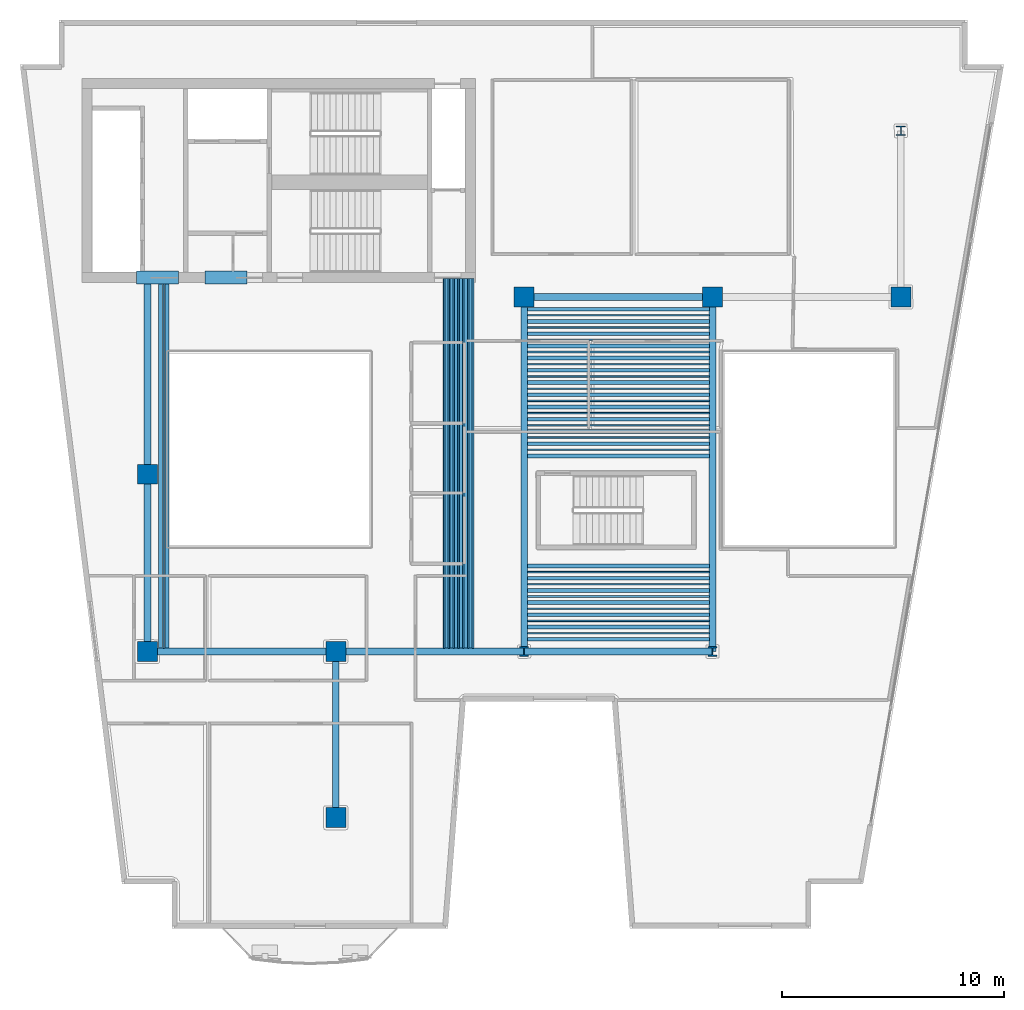
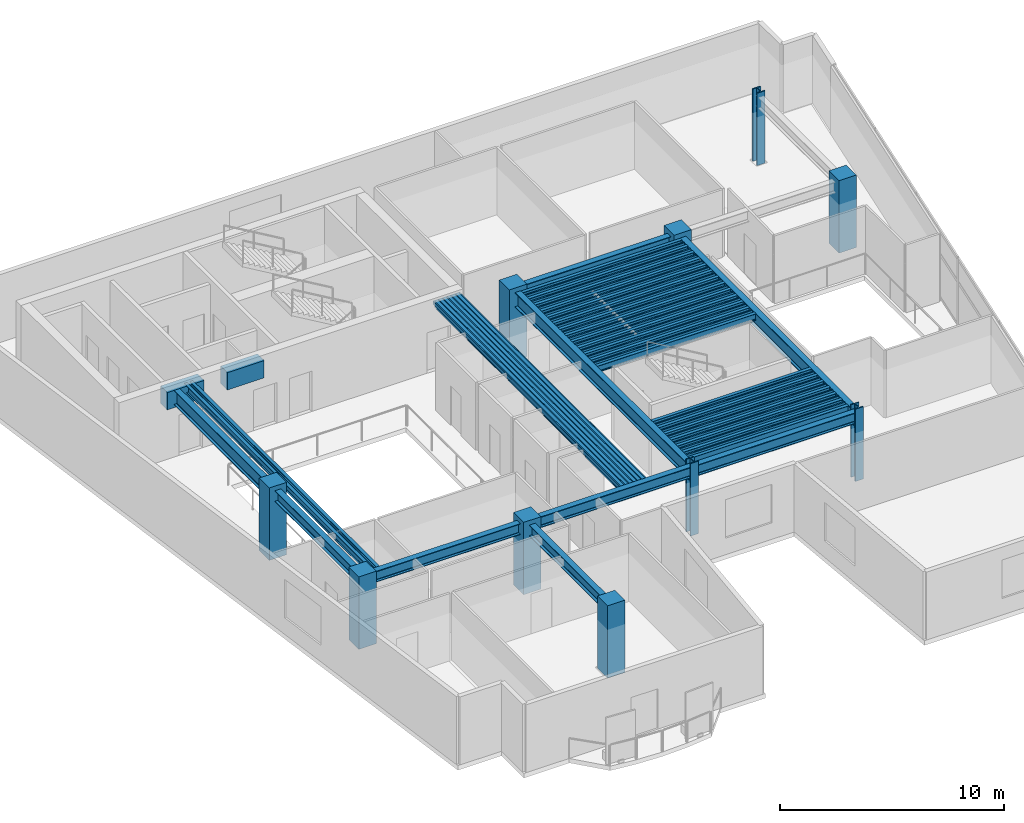
# One storey, part 1 of 9: 65 beams, 10 columns.
"""IFC4 building model written with IfcOpenShell, lengths in metres."""

from ifc_helpers import new_model, si_unit, direction, frame, origin, origin_2d, place, context, subcontext, project, spatial, rectangle, hollow_rectangle, i_section, extrude, material, material_profile, profile_set, type_object, element, save


model = new_model("IFC4")

# Units and contexts
model_context = context("Model", 3, precision=1e-05, world=origin(), true_north=direction((0.0, 1.0)))
body_context = subcontext(model_context, "Body", "Model", "MODEL_VIEW")
ifc_project = project(units=[si_unit("LENGTHUNIT", "METRE"), si_unit("AREAUNIT", "SQUARE_METRE"), si_unit("VOLUMEUNIT", "CUBIC_METRE"), si_unit("PLANEANGLEUNIT", "RADIAN"), si_unit("MASSUNIT", "GRAM", prefix="KILO")], contexts=[model_context])

# Site, building, storey
site_placement = place(None, origin())
site = spatial("IfcSite", under=ifc_project, at=site_placement, CompositionType="ELEMENT")
building_placement = place(site_placement, origin())
building = spatial("IfcBuilding", under=site, at=building_placement, Name="Caeloran Harvest Quay", CompositionType="ELEMENT")
storey_placement = place(building_placement, frame((0.0, 0.0, 215.35009765625)))
storey = spatial("IfcBuildingStorey", under=building, at=storey_placement, Name="L51", CompositionType="ELEMENT", Elevation=215.35009765625)

# Columns
ifc_material_1 = material(Name="Concrete C60/75", Category="concrete")
ifc_material_profile_1 = material_profile(ifc_material_1, rectangle(XDim=0.89990234375, YDim=0.89990234375, at=origin_2d()), Name="RC 900x900")
ifc_profile_set_1 = profile_set([ifc_material_profile_1], Name="Concrete C60/75")
column_type_1 = type_object("IfcColumnType", Name="COL-MC-4-RC_900x900", PredefinedType="COLUMN", material=ifc_profile_set_1)
for number, where, z_axis, x_axis, name in (
    (1, (8.5, 15.0, 0.0), (0.0, 0.0, 1.0), (1.0, 0.0, 0.0), "L51 Structural Column (8.5, 15.0)"),
    (2, (8.5, 23.0, 0.0), (0.0, 0.0, 1.0), (1.0, 0.0, 0.0), "L51 Structural Column (8.5, 23.0)"),
    (3, (17.0, 7.5, 0.0), (0.0, 0.0, 1.0), (1.0, 0.0, 0.0), "L51 Structural Column (17.0, 7.5)"),
    (4, (17.0, 15.0, 0.0), (0.0, 0.0, 1.0), (1.0, 0.0, 0.0), "L51 Structural Column (17.0, 15.0)"),
    (5, (25.5, 31.0, 0.0), (0.0, 0.0, 1.0), (1.0, 0.0, 0.0), "L51 Structural Column (25.5, 31.0)"),
    (6, (34.0, 31.0, 0.0), (0.0, 0.0, 1.0), (1.0, 0.0, 0.0), "L51 Structural Column (34.0, 31.0)"),
    (7, (42.5, 31.0, 0.0), (0.0, 0.0, 1.0), (1.0, 0.0, 0.0), "L51 Structural Column (42.5, 31.0)"),
):
    element("IfcColumn", number, at=place(storey_placement, frame(where, z_axis=z_axis, x_axis=x_axis)), inside=storey, type_object=column_type_1, Name=name, PredefinedType="COLUMN", context=body_context, shape_type="SweptSolid", body=[
        extrude(rectangle(XDim=0.89990234375, YDim=0.89990234375, at=origin_2d()), origin(), (0.0, 0.0, 1.0), 3.949951171875),
    ])
ifc_material_2 = material(Name="Steel HISTAR 460", Category="steel")
ifc_material_profile_2 = material_profile(ifc_material_2, i_section(OverallWidth=0.416015625, OverallDepth=0.446044921875, WebThickness=0.0390625, FlangeThickness=0.062744140625, FilletRadius=0.014892578125, at=origin_2d()), Name="HD 400x509")
ifc_profile_set_2 = profile_set([ifc_material_profile_2], Name="Steel HISTAR 460")
column_type_2 = type_object("IfcColumnType", Name="COL-SC-4-HD_400x509", PredefinedType="COLUMN", material=ifc_profile_set_2)
for number, where, z_axis, x_axis, name in (
    (8, (25.5, 15.0, 0.0), (0.0, 0.0, 1.0), (1.0, 0.0, 0.0), "L51 Structural Column (25.5, 15.0)"),
    (9, (34.0, 15.0, 0.0), (0.0, 0.0, 1.0), (1.0, 0.0, 0.0), "L51 Structural Column (34.0, 15.0)"),
    (10, (42.5, 38.5, 0.0), (0.0, 0.0, 1.0), (1.0, 0.0, 0.0), "L51 Structural Column (42.5, 38.5)"),
):
    element("IfcColumn", number, at=place(storey_placement, frame(where, z_axis=z_axis, x_axis=x_axis)), inside=storey, type_object=column_type_2, Name=name, PredefinedType="COLUMN", context=body_context, shape_type="SweptSolid", body=[
        extrude(i_section(OverallWidth=0.416015625, OverallDepth=0.446044921875, WebThickness=0.0390625, FlangeThickness=0.062744140625, FilletRadius=0.014892578125, at=origin_2d()), origin(), (0.0, 0.0, 1.0), 3.949951171875),
    ])

# Beams
ifc_material_profile_3 = material_profile(ifc_material_1, rectangle(XDim=0.60009765625, YDim=0.949951171875, at=origin_2d()), Name="RC 600x950")
ifc_profile_set_3 = profile_set([ifc_material_profile_3], Name="Concrete C60/75")
beam_type_1 = type_object("IfcBeamType", Name="BM-CB-2-RC_600x950", PredefinedType="LINTEL", material=ifc_profile_set_3)
for number, where, z_axis, x_axis, name in (
    (11, (8.0, 31.875, 3.224853515625), (1.0, 0.0, 0.0), (0.0, 1.0, 0.0), "L51 Core Coupling Beam 1"),
    (12, (11.10009765625, 31.875, 3.224853515625), (1.0, 0.0, 0.0), (0.0, 1.0, 0.0), "L51 Core Coupling Beam 2"),
):
    element("IfcBeam", number, at=place(storey_placement, frame(where, z_axis=z_axis, x_axis=x_axis)), inside=storey, type_object=beam_type_1, Name=name, PredefinedType="LINTEL", context=body_context, shape_type="SweptSolid", body=[
        extrude(rectangle(XDim=0.60009765625, YDim=0.949951171875, at=origin_2d()), origin(), (0.0, 0.0, 1.0), 1.89990234375),
    ])
ifc_material_3 = material(Name="Steel S355J2", Category="steel")
ifc_material_profile_4 = material_profile(ifc_material_3, i_section(OverallWidth=0.300048828125, OverallDepth=0.800048828125, WebThickness=0.017578125, FlangeThickness=0.032958984375, FilletRadius=0.030029296875, at=origin_2d()), Name="HE 800 B")
ifc_profile_set_4 = profile_set([ifc_material_profile_4], Name="Steel S355J2")
beam_type_2 = type_object("IfcBeamType", Name="BM-PG-1-HE_800_B", PredefinedType="BEAM", material=ifc_profile_set_4)
beam_1_placement = place(storey_placement, frame((8.5, 23.0, 3.2998046875), z_axis=(0.0, 1.0, 0.0), x_axis=(-1.0, 0.0, 0.0)))
element("IfcBeam", 13, at=beam_1_placement, inside=storey, type_object=beam_type_2, Name="L51 Core South Tie Girder X=8.5", PredefinedType="BEAM", context=body_context, shape_type="SweptSolid", body=[
    extrude(i_section(OverallWidth=0.300048828125, OverallDepth=0.800048828125, WebThickness=0.017578125, FlangeThickness=0.032958984375, FilletRadius=0.030029296875, at=origin_2d()), origin(), (0.0, 0.0, 1.0), 8.824951171875),
])
for number, where, z_axis, x_axis, name in (
    (14, (25.5, 15.0, 3.2998046875), (0.0, 1.0, 0.0), (-1.0, 0.0, 0.0), "L51 Primary North-South Girder X=25.5"),
    (15, (34.0, 15.0, 3.2998046875), (0.0, 1.0, 0.0), (-1.0, 0.0, 0.0), "L51 Primary North-South Girder X=34.0"),
):
    element("IfcBeam", number, at=place(storey_placement, frame(where, z_axis=z_axis, x_axis=x_axis)), inside=storey, type_object=beam_type_2, Name=name, PredefinedType="BEAM", context=body_context, shape_type="SweptSolid", body=[
        extrude(i_section(OverallWidth=0.300048828125, OverallDepth=0.800048828125, WebThickness=0.017578125, FlangeThickness=0.032958984375, FilletRadius=0.030029296875, at=origin_2d()), origin(), (0.0, 0.0, 1.0), 16.0),
    ])
ifc_material_profile_5 = material_profile(ifc_material_3, i_section(OverallWidth=0.300048828125, OverallDepth=0.60009765625, WebThickness=0.015380859375, FlangeThickness=0.030029296875, FilletRadius=0.027099609375, at=origin_2d()), Name="HE 600 B")
ifc_profile_set_5 = profile_set([ifc_material_profile_5], Name="Steel S355J2")
beam_type_3 = type_object("IfcBeamType", Name="BM-PG-3-HE_600_B", PredefinedType="BEAM", material=ifc_profile_set_5)
for number, where, z_axis, x_axis, name in (
    (16, (8.5, 15.0, 3.39990234375), (1.0, 0.0, 0.0), (0.0, 1.0, 0.0), "L51 Primary East-West Girder Y=15.0"),
    (17, (17.0, 15.0, 3.39990234375), (1.0, 0.0, 0.0), (0.0, 1.0, 0.0), "L51 Primary East-West Girder Y=15.0"),
    (18, (25.5, 15.0, 3.39990234375), (1.0, 0.0, 0.0), (0.0, 1.0, 0.0), "L51 Primary East-West Girder Y=15.0"),
    (19, (25.5, 31.0, 3.39990234375), (1.0, 0.0, 0.0), (0.0, 1.0, 0.0), "L51 Primary East-West Girder Y=31.0"),
):
    element("IfcBeam", number, at=place(storey_placement, frame(where, z_axis=z_axis, x_axis=x_axis)), inside=storey, type_object=beam_type_3, Name=name, PredefinedType="BEAM", context=body_context, shape_type="SweptSolid", body=[
        extrude(i_section(OverallWidth=0.300048828125, OverallDepth=0.60009765625, WebThickness=0.015380859375, FlangeThickness=0.030029296875, FilletRadius=0.027099609375, at=origin_2d()), origin(), (0.0, 0.0, 1.0), 8.5),
    ])
beam_2_placement = place(storey_placement, frame((8.5, 15.0, 3.39990234375), z_axis=(0.0, 1.0, 0.0), x_axis=(-1.0, 0.0, 0.0)))
element("IfcBeam", 20, at=beam_2_placement, inside=storey, type_object=beam_type_3, Name="L51 Primary North-South Girder X=8.5", PredefinedType="BEAM", context=body_context, shape_type="SweptSolid", body=[
    extrude(i_section(OverallWidth=0.300048828125, OverallDepth=0.60009765625, WebThickness=0.015380859375, FlangeThickness=0.030029296875, FilletRadius=0.027099609375, at=origin_2d()), origin(), (0.0, 0.0, 1.0), 8.0),
])
beam_3_placement = place(storey_placement, frame((17.0, 7.5, 3.39990234375), z_axis=(0.0, 1.0, 0.0), x_axis=(-1.0, 0.0, 0.0)))
element("IfcBeam", 21, at=beam_3_placement, inside=storey, type_object=beam_type_3, Name="L51 Primary North-South Girder X=17.0", PredefinedType="BEAM", context=body_context, shape_type="SweptSolid", body=[
    extrude(i_section(OverallWidth=0.300048828125, OverallDepth=0.60009765625, WebThickness=0.015380859375, FlangeThickness=0.030029296875, FilletRadius=0.027099609375, at=origin_2d()), origin(), (0.0, 0.0, 1.0), 7.5),
])
ifc_material_profile_6 = material_profile(ifc_material_3, i_section(OverallWidth=0.169921875, OverallDepth=0.360107421875, WebThickness=0.008056640625, FlangeThickness=0.0126953125, FilletRadius=0.01806640625, at=origin_2d()), Name="IPE 360")
ifc_profile_set_6 = profile_set([ifc_material_profile_6], Name="Steel S355J2")
beam_type_4 = type_object("IfcBeamType", Name="BM-SB-5-IPE_360", PredefinedType="JOIST", material=ifc_profile_set_6)
for number, where, z_axis, x_axis, name in (
    (22, (9.086181640625, 15.14501953125, 3.52001953125), (0.0, 1.0, 0.0), (-1.0, 0.0, 0.0), "L51 Secondary Composite Joist"),
    (23, (9.37939453125, 15.14501953125, 3.52001953125), (0.0, 1.0, 0.0), (-1.0, 0.0, 0.0), "L51 Secondary Composite Joist"),
    (24, (21.99658203125, 15.14501953125, 3.52001953125), (0.0, 1.0, 0.0), (-1.0, 0.0, 0.0), "L51 Secondary Composite Joist"),
    (25, (22.2138671875, 15.14501953125, 3.52001953125), (0.0, 1.0, 0.0), (-1.0, 0.0, 0.0), "L51 Secondary Composite Joist"),
    (26, (22.430908203125, 15.14501953125, 3.52001953125), (0.0, 1.0, 0.0), (-1.0, 0.0, 0.0), "L51 Secondary Composite Joist"),
    (27, (22.648193359375, 15.14501953125, 3.52001953125), (0.0, 1.0, 0.0), (-1.0, 0.0, 0.0), "L51 Secondary Composite Joist"),
    (28, (22.865478515625, 15.14501953125, 3.52001953125), (0.0, 1.0, 0.0), (-1.0, 0.0, 0.0), "L51 Secondary Composite Joist"),
    (29, (23.082763671875, 15.14501953125, 3.52001953125), (0.0, 1.0, 0.0), (-1.0, 0.0, 0.0), "L51 Secondary Composite Joist"),
):
    element("IfcBeam", number, at=place(storey_placement, frame(where, z_axis=z_axis, x_axis=x_axis)), inside=storey, type_object=beam_type_4, Name=name, PredefinedType="JOIST", context=body_context, shape_type="SweptSolid", body=[
        extrude(i_section(OverallWidth=0.169921875, OverallDepth=0.360107421875, WebThickness=0.008056640625, FlangeThickness=0.0126953125, FilletRadius=0.01806640625, at=origin_2d()), origin(), (0.0, 0.0, 1.0), 16.679931640625),
    ])
for number, where, z_axis, x_axis, name in (
    (30, (25.64501953125, 15.5517578125, 3.52001953125), (1.0, 0.0, 0.0), (0.0, 1.0, 0.0), "L51 Secondary East-West Composite Joist"),
    (31, (25.64501953125, 16.103515625, 3.52001953125), (1.0, 0.0, 0.0), (0.0, 1.0, 0.0), "L51 Secondary East-West Composite Joist"),
    (32, (25.64501953125, 16.6552734375, 3.52001953125), (1.0, 0.0, 0.0), (0.0, 1.0, 0.0), "L51 Secondary East-West Composite Joist"),
    (33, (25.64501953125, 17.206787109375, 3.52001953125), (1.0, 0.0, 0.0), (0.0, 1.0, 0.0), "L51 Secondary East-West Composite Joist"),
    (34, (25.64501953125, 17.758544921875, 3.52001953125), (1.0, 0.0, 0.0), (0.0, 1.0, 0.0), "L51 Secondary East-West Composite Joist"),
    (35, (25.64501953125, 18.310302734375, 3.52001953125), (1.0, 0.0, 0.0), (0.0, 1.0, 0.0), "L51 Secondary East-West Composite Joist"),
    (36, (25.64501953125, 18.862060546875, 3.52001953125), (1.0, 0.0, 0.0), (0.0, 1.0, 0.0), "L51 Secondary East-West Composite Joist"),
    (37, (25.64501953125, 23.82763671875, 3.52001953125), (1.0, 0.0, 0.0), (0.0, 1.0, 0.0), "L51 Secondary East-West Composite Joist"),
    (38, (25.64501953125, 24.37939453125, 3.52001953125), (1.0, 0.0, 0.0), (0.0, 1.0, 0.0), "L51 Secondary East-West Composite Joist"),
    (39, (25.64501953125, 24.930908203125, 3.52001953125), (1.0, 0.0, 0.0), (0.0, 1.0, 0.0), "L51 Secondary East-West Composite Joist"),
    (40, (25.64501953125, 25.48291015625, 3.52001953125), (1.0, 0.0, 0.0), (0.0, 1.0, 0.0), "L51 Secondary East-West Composite Joist"),
    (41, (25.64501953125, 26.034423828125, 3.52001953125), (1.0, 0.0, 0.0), (0.0, 1.0, 0.0), "L51 Secondary East-West Composite Joist"),
    (42, (25.64501953125, 26.586181640625, 3.52001953125), (1.0, 0.0, 0.0), (0.0, 1.0, 0.0), "L51 Secondary East-West Composite Joist"),
    (43, (25.64501953125, 27.137939453125, 3.52001953125), (1.0, 0.0, 0.0), (0.0, 1.0, 0.0), "L51 Secondary East-West Composite Joist"),
    (44, (25.64501953125, 27.689697265625, 3.52001953125), (1.0, 0.0, 0.0), (0.0, 1.0, 0.0), "L51 Secondary East-West Composite Joist"),
    (45, (25.64501953125, 28.241455078125, 3.52001953125), (1.0, 0.0, 0.0), (0.0, 1.0, 0.0), "L51 Secondary East-West Composite Joist"),
    (46, (25.64501953125, 28.793212890625, 3.52001953125), (1.0, 0.0, 0.0), (0.0, 1.0, 0.0), "L51 Secondary East-West Composite Joist"),
    (47, (25.64501953125, 29.3447265625, 3.52001953125), (1.0, 0.0, 0.0), (0.0, 1.0, 0.0), "L51 Secondary East-West Composite Joist"),
    (48, (25.64501953125, 29.896484375, 3.52001953125), (1.0, 0.0, 0.0), (0.0, 1.0, 0.0), "L51 Secondary East-West Composite Joist"),
    (49, (25.64501953125, 30.4482421875, 3.52001953125), (1.0, 0.0, 0.0), (0.0, 1.0, 0.0), "L51 Secondary East-West Composite Joist"),
):
    element("IfcBeam", number, at=place(storey_placement, frame(where, z_axis=z_axis, x_axis=x_axis)), inside=storey, type_object=beam_type_4, Name=name, PredefinedType="JOIST", context=body_context, shape_type="SweptSolid", body=[
        extrude(i_section(OverallWidth=0.169921875, OverallDepth=0.360107421875, WebThickness=0.008056640625, FlangeThickness=0.0126953125, FilletRadius=0.01806640625, at=origin_2d()), origin(), (0.0, 0.0, 1.0), 8.2099609375),
    ])
ifc_material_profile_7 = material_profile(ifc_material_3, hollow_rectangle(XDim=0.080078125, YDim=0.199951171875, WallThickness=0.006103515625, InnerFilletRadius=0.006103515625, OuterFilletRadius=0.009033203125, at=origin_2d()), Name="RHS 200x80x6")
ifc_profile_set_7 = profile_set([ifc_material_profile_7], Name="Steel S355J2")
beam_type_5 = type_object("IfcBeamType", Name="BM-SB-7-RHS_200x80x6", PredefinedType="JOIST", material=ifc_profile_set_7)
for number, where, z_axis, x_axis, name in (
    (50, (9.23291015625, 15.14501953125, 3.599853515625), (0.0, 1.0, 0.0), (-1.0, 0.0, 0.0), "L51 Secondary Composite Joist"),
    (51, (21.887939453125, 15.14501953125, 3.599853515625), (0.0, 1.0, 0.0), (-1.0, 0.0, 0.0), "L51 Secondary Composite Joist"),
    (52, (22.105224609375, 15.14501953125, 3.599853515625), (0.0, 1.0, 0.0), (-1.0, 0.0, 0.0), "L51 Secondary Composite Joist"),
    (53, (22.322509765625, 15.14501953125, 3.599853515625), (0.0, 1.0, 0.0), (-1.0, 0.0, 0.0), "L51 Secondary Composite Joist"),
    (54, (22.539794921875, 15.14501953125, 3.599853515625), (0.0, 1.0, 0.0), (-1.0, 0.0, 0.0), "L51 Secondary Composite Joist"),
    (55, (22.7568359375, 15.14501953125, 3.599853515625), (0.0, 1.0, 0.0), (-1.0, 0.0, 0.0), "L51 Secondary Composite Joist"),
    (56, (22.97412109375, 15.14501953125, 3.599853515625), (0.0, 1.0, 0.0), (-1.0, 0.0, 0.0), "L51 Secondary Composite Joist"),
    (57, (23.19140625, 15.14501953125, 3.599853515625), (0.0, 1.0, 0.0), (-1.0, 0.0, 0.0), "L51 Secondary Composite Joist"),
):
    element("IfcBeam", number, at=place(storey_placement, frame(where, z_axis=z_axis, x_axis=x_axis)), inside=storey, type_object=beam_type_5, Name=name, PredefinedType="JOIST", context=body_context, shape_type="SweptSolid", body=[
        extrude(hollow_rectangle(XDim=0.080078125, YDim=0.199951171875, WallThickness=0.006103515625, InnerFilletRadius=0.006103515625, OuterFilletRadius=0.009033203125, at=origin_2d()), origin(), (0.0, 0.0, 1.0), 16.679931640625),
    ])
for number, where, z_axis, x_axis, name in (
    (58, (25.64501953125, 15.82763671875, 3.599853515625), (1.0, 0.0, 0.0), (0.0, 1.0, 0.0), "L51 Secondary East-West Composite Joist"),
    (59, (25.64501953125, 16.37939453125, 3.599853515625), (1.0, 0.0, 0.0), (0.0, 1.0, 0.0), "L51 Secondary East-West Composite Joist"),
    (60, (25.64501953125, 16.930908203125, 3.599853515625), (1.0, 0.0, 0.0), (0.0, 1.0, 0.0), "L51 Secondary East-West Composite Joist"),
    (61, (25.64501953125, 17.48291015625, 3.599853515625), (1.0, 0.0, 0.0), (0.0, 1.0, 0.0), "L51 Secondary East-West Composite Joist"),
    (62, (25.64501953125, 18.034423828125, 3.599853515625), (1.0, 0.0, 0.0), (0.0, 1.0, 0.0), "L51 Secondary East-West Composite Joist"),
    (63, (25.64501953125, 18.586181640625, 3.599853515625), (1.0, 0.0, 0.0), (0.0, 1.0, 0.0), "L51 Secondary East-West Composite Joist"),
    (64, (25.64501953125, 24.103515625, 3.599853515625), (1.0, 0.0, 0.0), (0.0, 1.0, 0.0), "L51 Secondary East-West Composite Joist"),
    (65, (25.64501953125, 24.6552734375, 3.599853515625), (1.0, 0.0, 0.0), (0.0, 1.0, 0.0), "L51 Secondary East-West Composite Joist"),
    (66, (25.64501953125, 25.206787109375, 3.599853515625), (1.0, 0.0, 0.0), (0.0, 1.0, 0.0), "L51 Secondary East-West Composite Joist"),
    (67, (25.64501953125, 25.758544921875, 3.599853515625), (1.0, 0.0, 0.0), (0.0, 1.0, 0.0), "L51 Secondary East-West Composite Joist"),
    (68, (25.64501953125, 26.310302734375, 3.599853515625), (1.0, 0.0, 0.0), (0.0, 1.0, 0.0), "L51 Secondary East-West Composite Joist"),
    (69, (25.64501953125, 26.862060546875, 3.599853515625), (1.0, 0.0, 0.0), (0.0, 1.0, 0.0), "L51 Secondary East-West Composite Joist"),
    (70, (25.64501953125, 27.413818359375, 3.599853515625), (1.0, 0.0, 0.0), (0.0, 1.0, 0.0), "L51 Secondary East-West Composite Joist"),
    (71, (25.64501953125, 27.965576171875, 3.599853515625), (1.0, 0.0, 0.0), (0.0, 1.0, 0.0), "L51 Secondary East-West Composite Joist"),
    (72, (25.64501953125, 28.51708984375, 3.599853515625), (1.0, 0.0, 0.0), (0.0, 1.0, 0.0), "L51 Secondary East-West Composite Joist"),
    (73, (25.64501953125, 29.069091796875, 3.599853515625), (1.0, 0.0, 0.0), (0.0, 1.0, 0.0), "L51 Secondary East-West Composite Joist"),
    (74, (25.64501953125, 29.62060546875, 3.599853515625), (1.0, 0.0, 0.0), (0.0, 1.0, 0.0), "L51 Secondary East-West Composite Joist"),
    (75, (25.64501953125, 30.17236328125, 3.599853515625), (1.0, 0.0, 0.0), (0.0, 1.0, 0.0), "L51 Secondary East-West Composite Joist"),
):
    element("IfcBeam", number, at=place(storey_placement, frame(where, z_axis=z_axis, x_axis=x_axis)), inside=storey, type_object=beam_type_5, Name=name, PredefinedType="JOIST", context=body_context, shape_type="SweptSolid", body=[
        extrude(hollow_rectangle(XDim=0.080078125, YDim=0.199951171875, WallThickness=0.006103515625, InnerFilletRadius=0.006103515625, OuterFilletRadius=0.009033203125, at=origin_2d()), origin(), (0.0, 0.0, 1.0), 8.2099609375),
    ])

save(model, "model.ifc")
